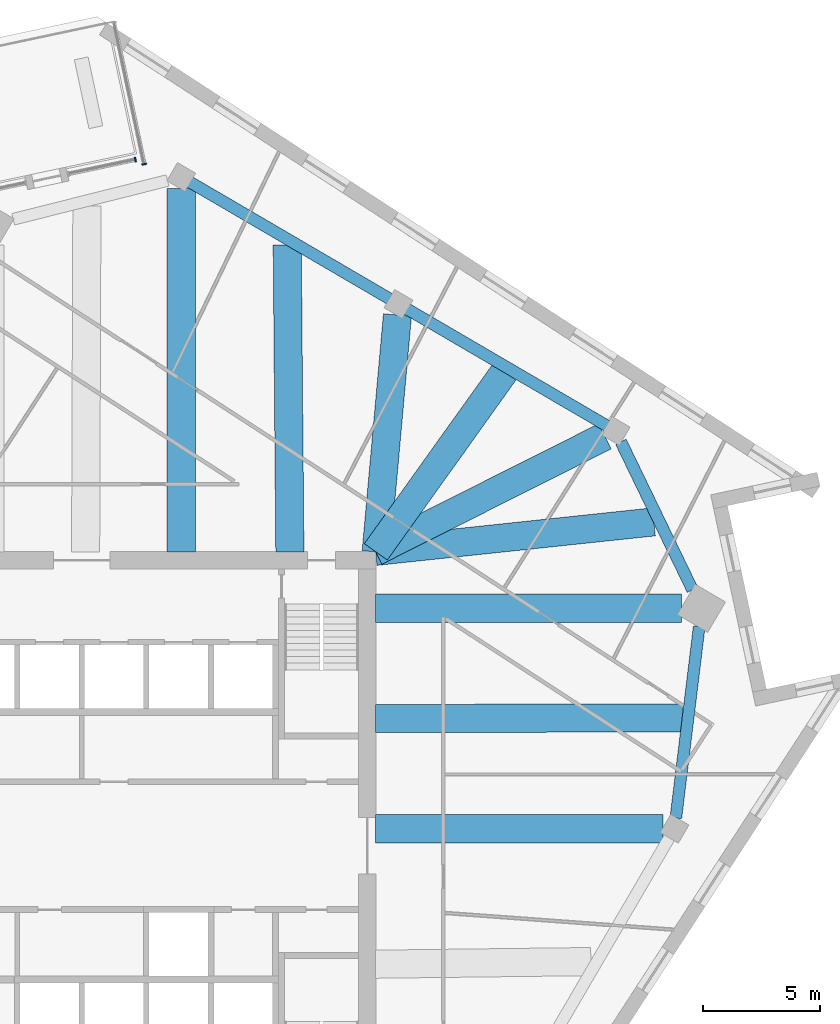
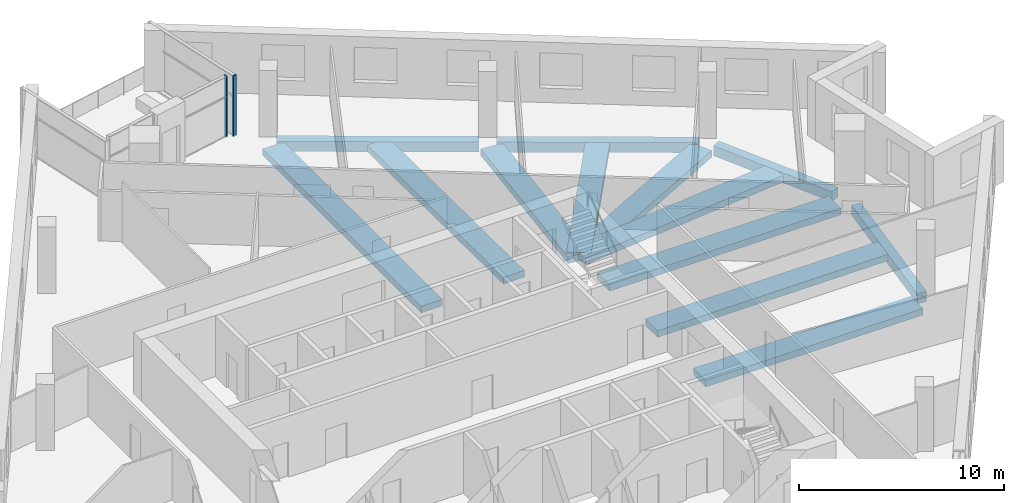
# One storey, part 3 of 12: 13 beams, 2 members, 2 elements without a shape of their own.
"""IFC4 building model written with IfcOpenShell, lengths in metres."""

from ifc_helpers import new_model, si_unit, direction, frame, origin, origin_2d, place, context, subcontext, project, spatial, rectangle, extrude, material, material_profile, profile_set, type_object, element, aggregate, save


model = new_model("IFC4")

# Units and contexts
model_context = context("Model", 3, precision=1e-05, world=origin(), true_north=direction((0.0, 1.0)))
body_context = subcontext(model_context, "Body", "Model", "MODEL_VIEW")
ifc_project = project(units=[si_unit("LENGTHUNIT", "METRE"), si_unit("AREAUNIT", "SQUARE_METRE"), si_unit("VOLUMEUNIT", "CUBIC_METRE"), si_unit("PLANEANGLEUNIT", "RADIAN"), si_unit("MASSUNIT", "GRAM", prefix="KILO")], contexts=[model_context])

# Site, building, storey
site_placement = place(None, origin())
site = spatial("IfcSite", under=ifc_project, at=site_placement, CompositionType="ELEMENT")
building_placement = place(site_placement, origin())
building = spatial("IfcBuilding", under=site, at=building_placement, Name="Dilmun Exchange Tower", CompositionType="ELEMENT")
storey_placement = place(building_placement, frame((0.0, 0.0, 254.89990234375)))
storey = spatial("IfcBuildingStorey", under=building, at=storey_placement, Name="L60", CompositionType="ELEMENT", Elevation=254.89990234375)

# Curtain wall, member
ifc_material_1 = material(Name="Anodised aluminium and clear glass", Category="aluminium")
curtain_wall_type = type_object("IfcCurtainWallType", Name="Garden corner glazing", PredefinedType="NOTDEFINED", material=ifc_material_1)
curtain_wall_1_placement = place(storey_placement, origin())
curtain_wall_1 = element("IfcCurtainWall", 1, at=curtain_wall_1_placement, inside=storey, type_object=curtain_wall_type, Name="Garden corner glazing run GC1.1", PredefinedType="NOTDEFINED")
ifc_material_2 = material(Name="Anodised aluminium", Category="aluminium")
ifc_material_profile_1 = material_profile(ifc_material_2, rectangle(XDim=0.199951171875, YDim=0.06005859375, at=origin_2d()), Name="AL 60x200")
ifc_profile_set_1 = profile_set([ifc_material_profile_1], Name="Anodised aluminium")
member_type = type_object("IfcMemberType", Name="Garden corner glazing mullion 60 x 200", PredefinedType="MULLION", material=ifc_profile_set_1)
member_1_placement = place(storey_placement, frame((2.661376953125, 29.054443359375, 0.0), z_axis=(0.0, 0.0, 1.0), x_axis=(0.978147579121, 0.207911792498, 0.0)))
member_1 = element("IfcMember", 2, at=member_1_placement, type_object=member_type, Name="GC1.1 mullion 2", PredefinedType="MULLION", context=body_context, shape_type="SweptSolid", body=[
    extrude(rectangle(XDim=0.199951171875, YDim=0.06005859375, at=origin_2d()), origin(), (0.0, 0.0, 1.0), 3.64013671875),
])
aggregate(curtain_wall_1, [member_1])

curtain_wall_2_placement = place(storey_placement, origin())
curtain_wall_2 = element("IfcCurtainWall", 3, at=curtain_wall_2_placement, inside=storey, type_object=curtain_wall_type, Name="Garden corner glazing run GC2.1", PredefinedType="NOTDEFINED")
member_2_placement = place(storey_placement, frame((2.282470703125, 29.249755859375, 0.0), z_axis=(0.0, 0.0, 1.0), x_axis=(0.207888364437, -0.978152558618, 0.0)))
member_2 = element("IfcMember", 4, at=member_2_placement, type_object=member_type, Name="GC2.1 mullion 1", PredefinedType="MULLION", context=body_context, shape_type="SweptSolid", body=[
    extrude(rectangle(XDim=0.199951171875, YDim=0.06005859375, at=origin_2d()), origin(), (0.0, 0.0, 1.0), 3.64013671875),
])
aggregate(curtain_wall_2, [member_2])

# Beams
ifc_material_3 = material(Name="Concrete C40/50", Category="concrete")
ifc_material_profile_2 = material_profile(ifc_material_3, rectangle(XDim=1.199951171875, YDim=0.39990234375, at=origin_2d()), Name="1200 x 400")
ifc_profile_set_2 = profile_set([ifc_material_profile_2], Name="Concrete C40/50")
beam_type_1 = type_object("IfcBeamType", Name="RC band beam 1200 x 400 C40/50", PredefinedType="BEAM", material=ifc_profile_set_2)
beam_1_placement = place(storey_placement, frame((24.773681640625, 0.721923828125, -0.659912109375), z_axis=(-1.0, 0.0, 0.0), x_axis=(0.0, -1.0, 0.0)))
element("IfcBeam", 5, at=beam_1_placement, inside=storey, type_object=beam_type_1, Name="Band beam 12", PredefinedType="BEAM", context=body_context, shape_type="SweptSolid", body=[
    extrude(rectangle(XDim=1.199951171875, YDim=0.39990234375, at=origin_2d()), origin(), (0.0, 0.0, 1.0), 12.250732421875),
])
beam_2_placement = place(storey_placement, frame((25.5732421875, 10.1220703125, -0.659912109375), z_axis=(-1.0, 0.0, 0.0), x_axis=(0.0, -1.0, 0.0)))
element("IfcBeam", 6, at=beam_2_placement, inside=storey, type_object=beam_type_1, Name="Band beam 13", PredefinedType="BEAM", context=body_context, shape_type="SweptSolid", body=[
    extrude(rectangle(XDim=1.199951171875, YDim=0.39990234375, at=origin_2d()), origin(), (0.0, 0.0, 1.0), 13.05029296875),
])
beam_3_placement = place(storey_placement, frame((22.302734375, 17.453125, -0.659912109375), z_axis=(-0.893443377394, -0.449175835716, 0.0), x_axis=(0.449175835716, -0.893443377394, 0.0)))
element("IfcBeam", 7, at=beam_3_placement, inside=storey, type_object=beam_type_1, Name="Band beam 14", PredefinedType="BEAM", context=body_context, shape_type="SweptSolid", body=[
    extrude(rectangle(XDim=1.199951171875, YDim=0.39990234375, at=origin_2d()), origin(), (0.0, 0.0, 1.0), 10.94287109375),
])
beam_4_placement = place(storey_placement, frame((13.456787109375, 22.625732421875, -0.659912109375), z_axis=(-0.089632924375, -0.995974868593, 0.0), x_axis=(0.995974868593, -0.089632924375, 0.0)))
element("IfcBeam", 8, at=beam_4_placement, inside=storey, type_object=beam_type_1, Name="Band beam 15", PredefinedType="BEAM", context=body_context, shape_type="SweptSolid", body=[
    extrude(rectangle(XDim=1.199951171875, YDim=0.39990234375, at=origin_2d()), origin(), (0.0, 0.0, 1.0), 10.143310546875),
])
beam_5_placement = place(storey_placement, frame((4.239990234375, 28.01171875, -0.659912109375), z_axis=(0.0, -1.0, 0.0), x_axis=(1.0, 0.0, 0.0)))
element("IfcBeam", 9, at=beam_5_placement, inside=storey, type_object=beam_type_1, Name="Band beam 16", PredefinedType="BEAM", context=body_context, shape_type="SweptSolid", body=[
    extrude(rectangle(XDim=1.199951171875, YDim=0.39990234375, at=origin_2d()), origin(), (0.0, 0.0, 1.0), 15.48876953125),
])
beam_6_placement = place(storey_placement, frame((25.6201171875, 5.448974609375, -0.559814453125), z_axis=(-0.999997897774, -0.002050474756, 0.0), x_axis=(0.002050474756, -0.999997897774, 0.0)))
element("IfcBeam", 10, at=beam_6_placement, inside=storey, type_object=beam_type_1, Name="Band beam 28", PredefinedType="BEAM", context=body_context, shape_type="SweptSolid", body=[
    extrude(rectangle(XDim=1.199951171875, YDim=0.39990234375, at=origin_2d()), origin(), (0.0, 0.0, 1.0), 13.09716796875),
])
beam_7_placement = place(storey_placement, frame((24.3857421875, 13.804931640625, -0.559814453125), z_axis=(-0.994425543871, -0.105441157505, 0.0), x_axis=(0.105441157505, -0.994425543871, 0.0)))
element("IfcBeam", 11, at=beam_7_placement, inside=storey, type_object=beam_type_1, Name="Band beam 29", PredefinedType="BEAM", context=body_context, shape_type="SweptSolid", body=[
    extrude(rectangle(XDim=1.199951171875, YDim=0.39990234375, at=origin_2d()), origin(), (0.0, 0.0, 1.0), 11.928955078125),
])
beam_8_placement = place(storey_placement, frame((18.01611328125, 20.195556640625, -0.559814453125), z_axis=(-0.581600762294, -0.81347437163, 0.0), x_axis=(0.81347437163, -0.581600762294, 0.0)))
element("IfcBeam", 12, at=beam_8_placement, inside=storey, type_object=beam_type_1, Name="Band beam 30", PredefinedType="BEAM", context=body_context, shape_type="SweptSolid", body=[
    extrude(rectangle(XDim=1.199951171875, YDim=0.39990234375, at=origin_2d()), origin(), (0.0, 0.0, 1.0), 9.425537109375),
])
beam_9_placement = place(storey_placement, frame((8.757080078125, 25.607421875, -0.559814453125), z_axis=(0.008582734208, -0.999963167658, 0.0), x_axis=(0.999963167658, 0.008582734208, 0.0)))
element("IfcBeam", 13, at=beam_9_placement, inside=storey, type_object=beam_type_1, Name="Band beam 31", PredefinedType="BEAM", context=body_context, shape_type="SweptSolid", body=[
    extrude(rectangle(XDim=1.199951171875, YDim=0.39990234375, at=origin_2d()), origin(), (0.0, 0.0, 1.0), 13.0849609375),
])
ifc_material_profile_3 = material_profile(ifc_material_3, rectangle(XDim=0.5, YDim=0.60009765625, at=origin_2d()), Name="500 x 600")
ifc_profile_set_3 = profile_set([ifc_material_profile_3], Name="Concrete C40/50")
beam_type_2 = type_object("IfcBeamType", Name="RC ring beam 500 x 600 C40/50", PredefinedType="SPANDREL", material=ifc_profile_set_3)
beam_10_placement = place(storey_placement, frame((25.32421875, 1.181640625, -0.659912109375), z_axis=(0.121108645076, 0.992639257781, 0.0), x_axis=(-0.992639257781, 0.121108645076, 0.0)))
element("IfcBeam", 14, at=beam_10_placement, inside=storey, type_object=beam_type_2, Name="Ring beam 12", PredefinedType="SPANDREL", context=body_context, shape_type="SweptSolid", body=[
    extrude(rectangle(XDim=0.5, YDim=0.60009765625, at=origin_2d()), origin(), (0.0, 0.0, 1.0), 8.216796875),
])
beam_11_placement = place(storey_placement, frame((26.033447265625, 10.910888671875, -0.659912109375), z_axis=(-0.435439794363, 0.900217854458, 0.0), x_axis=(-0.900217854458, -0.435439794363, 0.0)))
element("IfcBeam", 15, at=beam_11_placement, inside=storey, type_object=beam_type_2, Name="Ring beam 13", PredefinedType="SPANDREL", context=body_context, shape_type="SweptSolid", body=[
    extrude(rectangle(XDim=0.5, YDim=0.60009765625, at=origin_2d()), origin(), (0.0, 0.0, 1.0), 7.0068359375),
])
beam_12_placement = place(storey_placement, frame((22.392822265625, 17.8955078125, -0.659912109375), z_axis=(-0.863333071594, 0.504634528637, 0.0), x_axis=(-0.504634528637, -0.863333071594, 0.0)))
element("IfcBeam", 16, at=beam_12_placement, inside=storey, type_object=beam_type_2, Name="Ring beam 14", PredefinedType="SPANDREL", context=body_context, shape_type="SweptSolid", body=[
    extrude(rectangle(XDim=0.5, YDim=0.60009765625, at=origin_2d()), origin(), (0.0, 0.0, 1.0), 9.878662109375),
])
beam_13_placement = place(storey_placement, frame((13.1337890625, 23.3076171875, -0.659912109375), z_axis=(-0.863343838609, 0.504616107884, 0.0), x_axis=(-0.504616107884, -0.863343838609, 0.0)))
element("IfcBeam", 17, at=beam_13_placement, inside=storey, type_object=beam_type_2, Name="Ring beam 15", PredefinedType="SPANDREL", context=body_context, shape_type="SweptSolid", body=[
    extrude(rectangle(XDim=0.5, YDim=0.60009765625, at=origin_2d()), origin(), (0.0, 0.0, 1.0), 9.87841796875),
])

save(model, "model.ifc")
